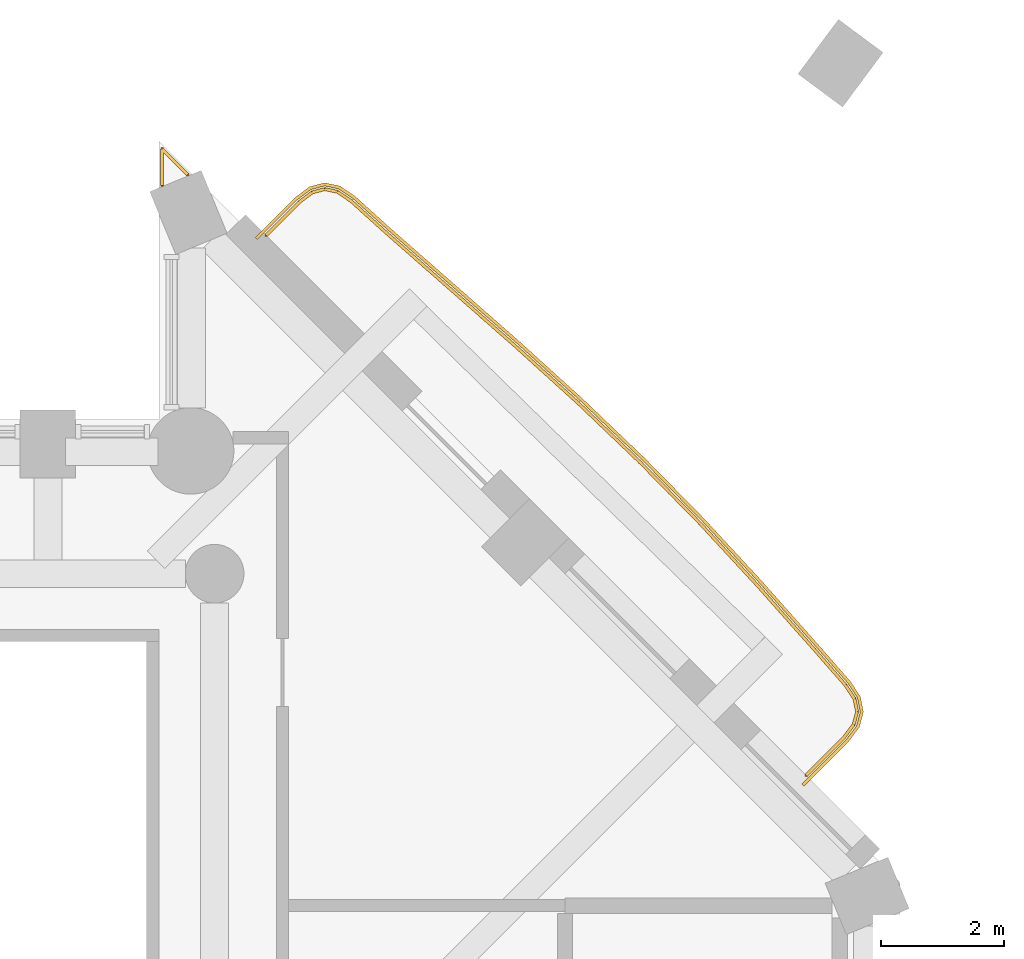
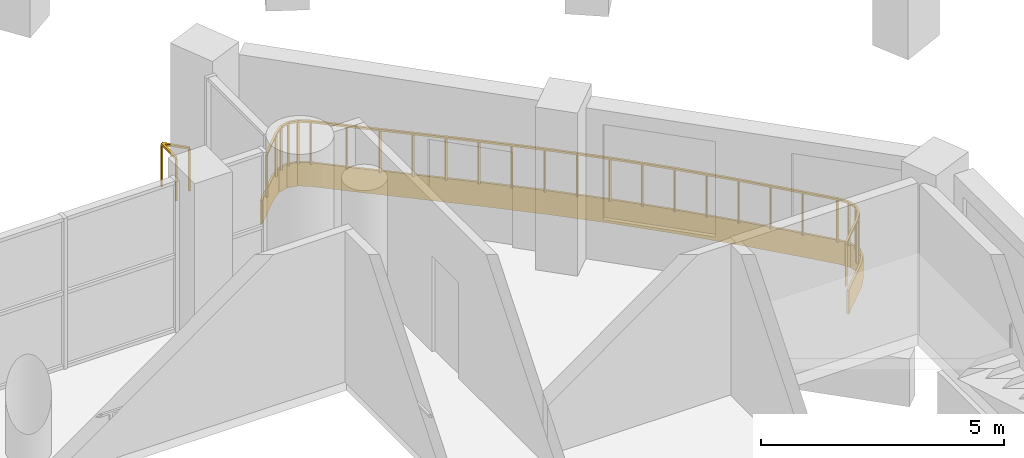
# One storey, part 13 of 13: 2 railings, 1 covering.
"""IFC4 building model written with IfcOpenShell, lengths in metres."""

import ifcopenshell
import ifcopenshell.guid

model = None  # the IFC model being written
_history = None  # IfcOwnerHistory: only IFC2X3 demands one
_inside = {}  # id of a spatial element -> (the spatial element, [elements in it])
_under = {}  # id of a project, library or spatial element -> (it, [spatial elements below it])
_declared = {}  # id of a project -> (the project, [libraries it declares])
_typed = {}  # id of a type object -> (the type object, [elements of that type])
_made_of = {}  # id of a material, layer set ... -> (it, [elements and type objects made of it])


def new_model(schema):
    """Start an empty IFC model of exactly this schema.

    Asked for "IFC4X3", IfcOpenShell would pick the latest addendum, in which some entities
    have other attributes; the version numbers below select the first issue.
    IFC2X3 requires an IfcOwnerHistory on every rooted entity: one is made here for all.
    """
    global model, _history
    if schema == "IFC4X3":
        model = ifcopenshell.file(schema_version=(4, 3, 0, 0))
    else:
        model = ifcopenshell.file(schema=schema)
    _inside.clear()
    _under.clear()
    _declared.clear()
    _typed.clear()
    _made_of.clear()
    _history = None
    if model.schema == "IFC2X3":
        org = make("IfcOrganization", Name="unknown")
        user = make(
            "IfcPersonAndOrganization",
            ThePerson=make("IfcPerson", FamilyName="unknown"),
            TheOrganization=org,
        )
        app = make(
            "IfcApplication",
            ApplicationDeveloper=org,
            Version="unknown",
            ApplicationFullName="unknown",
            ApplicationIdentifier="unknown",
        )
        _history = make(
            "IfcOwnerHistory",
            OwningUser=user,
            OwningApplication=app,
            ChangeAction="ADDED",
            CreationDate=0,
        )
    return model


def make(cls, **values):
    """One entity of the class cls with the attributes given. An attribute that is None is left unset."""
    return model.create_entity(
        cls, **{name: value for name, value in values.items() if value is not None}
    )


def rooted(cls, **values):
    """An entity with a GlobalId (a new one), such as an element, a storey or a relation."""
    return make(cls, GlobalId=ifcopenshell.guid.new(), OwnerHistory=_history, **values)


def si_unit(unit_type, name, prefix=None):
    """IfcSIUnit, for example si_unit("LENGTHUNIT", "METRE", prefix="MILLI")."""
    return make("IfcSIUnit", UnitType=unit_type, Prefix=prefix, Name=name)


def assignment(units):
    """IfcUnitAssignment: the units of a project."""
    return None if units is None else make("IfcUnitAssignment", Units=units)


def point(xyz):
    """IfcCartesianPoint."""
    return None if xyz is None else make("IfcCartesianPoint", Coordinates=xyz)


def direction(xyz):
    """IfcDirection."""
    return None if xyz is None else make("IfcDirection", DirectionRatios=xyz)


def frame(location, z_axis=None, x_axis=None):
    """IfcAxis2Placement3D, a coordinate frame: its origin and axes. An axis left out is left unset."""
    return make(
        "IfcAxis2Placement3D",
        Location=point(location),
        Axis=direction(z_axis),
        RefDirection=direction(x_axis),
    )


def frame_2d(location, x_axis=None):
    """IfcAxis2Placement2D, a coordinate frame in the plane: its origin and x axis."""
    return make(
        "IfcAxis2Placement2D", Location=point(location), RefDirection=direction(x_axis)
    )


def origin():
    """The frame at (0, 0, 0) with its axes left unset."""
    return frame((0.0, 0.0, 0.0))


def origin_2d():
    """The frame at (0, 0) in the plane with its x axis left unset."""
    return frame_2d((0.0, 0.0))


def place(relative_to, where):
    """IfcLocalPlacement: puts the frame where relative to a parent placement (None: the world)."""
    return make(
        "IfcLocalPlacement", PlacementRelTo=relative_to, RelativePlacement=where
    )


def context(
    kind, dimensions, precision=None, world=None, true_north=None, identifier=None
):
    """IfcGeometricRepresentationContext, for example the 3D "Model" context."""
    return make(
        "IfcGeometricRepresentationContext",
        ContextIdentifier=identifier,
        ContextType=kind,
        CoordinateSpaceDimension=dimensions,
        Precision=precision,
        WorldCoordinateSystem=world,
        TrueNorth=true_north,
    )


def subcontext(parent, identifier, kind, view, scale=None):
    """IfcGeometricRepresentationSubContext, for example "Body" below "Model"."""
    return make(
        "IfcGeometricRepresentationSubContext",
        ContextIdentifier=identifier,
        ContextType=kind,
        ParentContext=parent,
        TargetScale=scale,
        TargetView=view,
    )


def project(units=None, contexts=None):
    """IfcProject with its units and contexts."""
    return rooted(
        "IfcProject",
        Name="project",
        RepresentationContexts=contexts,
        UnitsInContext=assignment(units),
    )


def spatial(cls, under=None, at=None, **own):
    """A site, building, storey or space (cls), placed at a placement, below another one or the project."""
    s = rooted(cls, ObjectPlacement=at, **own)
    if under is not None:
        _under.setdefault(under.id(), (under, []))[1].append(s)
    return s


def polyline(points):
    """IfcPolyline through the points."""
    return make("IfcPolyline", Points=[point(p) for p in points])


def profile(cls, at=None, kind="AREA", **sizes):
    """A parametric profile (cls). Its sizes go by their IFC names, for example OverallWidth=200.0."""
    return make(cls, ProfileType=kind, Position=at, **sizes)


def rectangle(**sizes):
    """IfcRectangleProfileDef."""
    return profile("IfcRectangleProfileDef", **sizes)


def outline(outer, holes=None, kind="AREA"):
    """IfcArbitraryClosedProfileDef: a profile drawn as a closed curve; with holes, ...WithVoids."""
    if holes is None:
        return make("IfcArbitraryClosedProfileDef", ProfileType=kind, OuterCurve=outer)
    return make(
        "IfcArbitraryProfileDefWithVoids",
        ProfileType=kind,
        OuterCurve=outer,
        InnerCurves=holes,
    )


def extrude(swept, where, along, depth):
    """IfcExtrudedAreaSolid: the profile swept, set in the frame where, extruded along a direction by depth."""
    return make(
        "IfcExtrudedAreaSolid",
        SweptArea=swept,
        Position=where,
        ExtrudedDirection=direction(along),
        Depth=depth,
    )


def shape(context_of_items, identifier, shape_type, items):
    """IfcShapeRepresentation: the items that make up one representation, for example the "Body"."""
    return make(
        "IfcShapeRepresentation",
        ContextOfItems=context_of_items,
        RepresentationIdentifier=identifier,
        RepresentationType=shape_type,
        Items=items,
    )


def material(Name=None, Category=None):
    """IfcMaterial."""
    return make("IfcMaterial", Name=Name, Category=Category)


def layer(
    of_material, thickness, ventilated=None, Name=None, Category=None, Priority=None
):
    """IfcMaterialLayer: one layer of a wall or slab, of a material (None: an air gap)."""
    return make(
        "IfcMaterialLayer",
        Material=of_material,
        LayerThickness=thickness,
        IsVentilated=ventilated,
        Name=Name,
        Category=Category,
        Priority=Priority,
    )


def layer_set(layers, Name=None):
    """IfcMaterialLayerSet."""
    return make("IfcMaterialLayerSet", MaterialLayers=layers, LayerSetName=Name)


def made_of(thing, what):
    """Note that an element or type object is made of a material, layer set ...; save() writes the relation."""
    if what is not None:
        _made_of.setdefault(what.id(), (what, []))[1].append(thing)
    return thing


def type_object(cls, material=None, **own):
    """A type object (cls), such as IfcWallType, which elements share."""
    return made_of(rooted(cls, **own), material)


def element(
    cls,
    number,
    at=None,
    inside=None,
    cuts=None,
    type_object=None,
    material=None,
    context=None,
    identifier="Body",
    shape_type=None,
    held_by="IfcProductDefinitionShape",
    body=None,
    shapes=None,
    **own,
):
    """One element of the class cls, such as IfcWall. Its Tag is "e" and its number.

    at: its placement. inside: the storey or other place that contains it. cuts: it is an
    opening in that element (IfcRelVoidsElement). A single representation is given by context,
    identifier, shape_type and body (its items); several are given by shapes. held_by: the class
    of the entity that holds the representations. save() writes the other relations.
    """
    e = rooted(cls, Tag="e%d" % number, ObjectPlacement=at, **own)
    if body is not None:
        shapes = [shape(context, identifier, shape_type, body)]
    if shapes is not None:
        e.Representation = make(held_by, Representations=shapes)
    if inside is not None:
        _inside.setdefault(inside.id(), (inside, []))[1].append(e)
    if cuts is not None:
        rooted(
            "IfcRelVoidsElement", RelatingBuildingElement=cuts, RelatedOpeningElement=e
        )
    if type_object is not None:
        _typed.setdefault(type_object.id(), (type_object, []))[1].append(e)
    return made_of(e, material)


def aggregate(whole, parts):
    """IfcRelAggregates: a whole, such as a stair, and the parts it consists of."""
    return rooted("IfcRelAggregates", RelatingObject=whole, RelatedObjects=parts)


def save(model, path):
    """Write the relations noted so far, then the file.

    IfcRelAggregates (storeys below a building ...), IfcRelContainedInSpatialStructure (elements
    in a storey), IfcRelDefinesByType, IfcRelAssociatesMaterial and IfcRelDeclares: one each for
    every whole, place, type object, material and project.
    """
    for whole, parts in _under.values():
        aggregate(whole, parts)
    for where, things in _inside.values():
        rooted(
            "IfcRelContainedInSpatialStructure",
            RelatedElements=things,
            RelatingStructure=where,
        )
    for kind, things in _typed.values():
        rooted("IfcRelDefinesByType", RelatedObjects=things, RelatingType=kind)
    for what, things in _made_of.values():
        rooted("IfcRelAssociatesMaterial", RelatedObjects=things, RelatingMaterial=what)
    for by, libraries in _declared.values():
        rooted("IfcRelDeclares", RelatingContext=by, RelatedDefinitions=libraries)
    model.write(path)


model = new_model("IFC4")

# Units and contexts
model_context = context("Model", 3, precision=1e-05, world=origin(), true_north=direction((0.0, 1.0)))
body_context = subcontext(model_context, "Body", "Model", "MODEL_VIEW")
ifc_project = project(units=[si_unit("LENGTHUNIT", "METRE"), si_unit("AREAUNIT", "SQUARE_METRE"), si_unit("VOLUMEUNIT", "CUBIC_METRE"), si_unit("PLANEANGLEUNIT", "RADIAN"), si_unit("MASSUNIT", "GRAM", prefix="KILO")], contexts=[model_context])

# Site, building, storey
site_placement = place(None, origin())
site = spatial("IfcSite", under=ifc_project, at=site_placement, CompositionType="ELEMENT")
building_placement = place(site_placement, origin())
building = spatial("IfcBuilding", under=site, at=building_placement, Name="Cypress Arch Tower", CompositionType="ELEMENT")
storey_placement = place(building_placement, frame((0.0, 0.0, 189.199951171875)))
storey = spatial("IfcBuildingStorey", under=building, at=storey_placement, Name="L41", CompositionType="ELEMENT", Elevation=189.199951171875)

# Covering
ifc_material_1 = material(Name="White powder-coated aluminium fascia", Category="aluminium")
ifc_layer = layer(ifc_material_1, 0.050048828125)
ifc_layer_set = layer_set([ifc_layer], Name="Balcony fascia BF50")
covering_type = type_object("IfcCoveringType", Name="Balcony fascia BF50", PredefinedType="CLADDING", material=ifc_layer_set)
covering_placement = place(storey_placement, frame((0.0, 0.0, -0.599853515625)))
element("IfcCovering", 1, at=covering_placement, inside=storey, type_object=covering_type, Name="Balcony fascia L41-B05", PredefinedType="CLADDING", context=body_context, shape_type="SweptSolid", body=[
    extrude(outline(polyline([(10.302978515625, 16.091552734375), (10.53564453125, 16.2666015625), (10.781494140625, 16.33154296875), (11.030029296875, 16.279052734375), (11.271484375, 16.1162109375), (11.840087890625, 15.6025390625), (12.883544921875, 14.68701171875), (13.927001953125, 13.770263671875), (14.955810546875, 12.838134765625), (15.958740234375, 11.87939453125), (16.930419921875, 10.889404296875), (17.872802734375, 9.870361328125), (18.79443359375, 8.83154296875), (19.2998046875, 8.25390625), (19.459228515625, 8.00927734375), (19.509033203125, 7.758544921875), (19.442626953125, 7.51171875), (19.26708984375, 7.2783203125), (18.545166015625, 6.556396484375), (18.509765625, 6.591796875), (19.229248046875, 7.311279296875), (19.39697265625, 7.533935546875), (19.457763671875, 7.76025390625), (19.412109375, 7.990234375), (19.259765625, 8.2236328125), (18.7568359375, 8.798583984375), (17.835693359375, 9.8369140625), (16.894287109375, 10.85498046875), (15.923583984375, 11.843994140625), (14.921875, 12.801513671875), (13.893798828125, 13.733154296875), (12.8505859375, 14.6494140625), (11.806884765625, 15.565185546875), (11.240478515625, 16.07666015625), (11.01025390625, 16.232177734375), (10.78271484375, 16.2802734375), (10.557861328125, 16.220703125), (10.335693359375, 16.0537109375), (9.691650390625, 15.40966796875), (9.65625, 15.445068359375), (10.302978515625, 16.091552734375)])), origin(), (0.0, 0.0, 1.0), 0.599853515625),
])

# Railings
ifc_material_2 = material(Name="Powder-coated steel posts and rods, 100 mm clear between rods", Category="steel")
railing_type_1 = type_object("IfcRailingType", Name="Balcony guard GR1100", PredefinedType="GUARDRAIL", material=ifc_material_2)
railing_1_placement = place(storey_placement, frame((9.83251953125, 15.479736328125, 0.0)))
element("IfcRailing", 2, at=railing_1_placement, inside=storey, type_object=railing_type_1, Name="Balcony guard L41-B05", PredefinedType="GUARDRAIL", context=body_context, shape_type="SweptSolid", body=[
    extrude(rectangle(XDim=0.050048828125, YDim=0.050048828125, at=origin_2d()), frame((0.0, 0.0, 1.0751953125), z_axis=(0.707106781187, 0.707106781187, 0.0), x_axis=(-0.707106781187, 0.707106781187, 0.0)), (0.0, 0.0, 1.0), 0.75830078125),
    extrude(rectangle(XDim=0.050048828125, YDim=0.050048828125, at=origin_2d()), frame((0.5361328125, 0.5361328125, 1.0751953125), z_axis=(0.79889162918, 0.601474991023, 0.0), x_axis=(-0.601474991023, 0.79889162918, 0.0)), (0.0, 0.0, 1.0), 0.2646484375),
    extrude(rectangle(XDim=0.050048828125, YDim=0.050048828125, at=origin_2d()), frame((0.74755859375, 0.6953125, 1.0751953125), z_axis=(0.966713650675, 0.255860738682, 0.0), x_axis=(-0.255860738682, 0.966713650675, 0.0)), (0.0, 0.0, 1.0), 0.2109375),
    extrude(rectangle(XDim=0.050048828125, YDim=0.050048828125, at=origin_2d()), frame((0.951416015625, 0.749267578125, 1.0751953125), z_axis=(0.978340696358, -0.207001163887, 0.0), x_axis=(0.207001163887, 0.978340696358, 0.0)), (0.0, 0.0, 1.0), 0.211181640625),
    extrude(rectangle(XDim=0.050048828125, YDim=0.050048828125, at=origin_2d()), frame((1.157958984375, 0.70556640625, 1.0751953125), z_axis=(0.828912874981, -0.559377730778, 0.0), x_axis=(0.559377730778, 0.828912874981, 0.0)), (0.0, 0.0, 1.0), 0.264404296875),
    extrude(rectangle(XDim=0.050048828125, YDim=0.050048828125, at=origin_2d()), frame((1.377197265625, 0.5576171875, 1.0751953125), z_axis=(0.742015014597, -0.670383262106, 0.0), x_axis=(0.670383262106, 0.742015014597, 0.0)), (0.0, 0.0, 1.0), 0.760009765625),
    extrude(rectangle(XDim=0.050048828125, YDim=0.050048828125, at=origin_2d()), frame((1.941162109375, 0.048095703125, 1.0751953125), z_axis=(0.751661258807, -0.659549355249, 0.0), x_axis=(0.659549355249, 0.751661258807, 0.0)), (0.0, 0.0, 1.0), 1.388916015625),
    extrude(rectangle(XDim=0.050048828125, YDim=0.050048828125, at=origin_2d()), frame((2.985107421875, -0.867919921875, 1.0751953125), z_axis=(0.751278540226, -0.659985268772, 0.0), x_axis=(0.659985268772, 0.751278540226, 0.0)), (0.0, 0.0, 1.0), 1.387939453125),
    extrude(rectangle(XDim=0.050048828125, YDim=0.050048828125, at=origin_2d()), frame((4.02783203125, -1.783935546875, 1.0751953125), z_axis=(0.741030762522, -0.671471078302, 0.0), x_axis=(0.671471078302, 0.741030762522, 0.0)), (0.0, 0.0, 1.0), 1.386474609375),
    extrude(rectangle(XDim=0.050048828125, YDim=0.050048828125, at=origin_2d()), frame((5.05517578125, -2.71484375, 1.0751953125), z_axis=(0.722886935614, -0.690966336603, 0.0), x_axis=(0.690966336603, 0.722886935614, 0.0)), (0.0, 0.0, 1.0), 1.38427734375),
    extrude(rectangle(XDim=0.050048828125, YDim=0.050048828125, at=origin_2d()), frame((6.055908203125, -3.67138671875, 1.0751953125), z_axis=(0.700550891688, -0.713602444051, 0.0), x_axis=(0.713602444051, 0.700550891688, 0.0)), (0.0, 0.0, 1.0), 1.38427734375),
    extrude(rectangle(XDim=0.050048828125, YDim=0.050048828125, at=origin_2d()), frame((7.025634765625, -4.6591796875, 1.0751953125), z_axis=(0.678989747895, -0.734147752331, 0.0), x_axis=(0.734147752331, 0.678989747895, 0.0)), (0.0, 0.0, 1.0), 1.385498046875),
    extrude(rectangle(XDim=0.050048828125, YDim=0.050048828125, at=origin_2d()), frame((7.96630859375, -5.67626953125, 1.0751953125), z_axis=(0.663522479605, -0.748156346667, 0.0), x_axis=(0.748156346667, 0.663522479605, 0.0)), (0.0, 0.0, 1.0), 1.387451171875),
    extrude(rectangle(XDim=0.050048828125, YDim=0.050048828125, at=origin_2d()), frame((8.886962890625, -6.71435546875, 1.0751953125), z_axis=(0.658299875011, -0.752755786799, 0.0), x_axis=(0.752755786799, 0.658299875011, 0.0)), (0.0, 0.0, 1.0), 0.760009765625),
    extrude(rectangle(XDim=0.050048828125, YDim=0.050048828125, at=origin_2d()), frame((9.38720703125, -7.286376953125, 1.0751953125), z_axis=(0.546828345228, -0.837244743701, 0.0), x_axis=(0.837244743701, 0.546828345228, 0.0)), (0.0, 0.0, 1.0), 0.265625),
    extrude(rectangle(XDim=0.050048828125, YDim=0.050048828125, at=origin_2d()), frame((9.532470703125, -7.5087890625, 1.0751953125), z_axis=(0.194793826827, -0.980844210377, 0.0), x_axis=(0.980844210377, 0.194793826827, 0.0)), (0.0, 0.0, 1.0), 0.213134765625),
    extrude(rectangle(XDim=0.050048828125, YDim=0.050048828125, at=origin_2d()), frame((9.573974609375, -7.7177734375, 1.0751953125), z_axis=(-0.260302444587, -0.965527129262, 0.0), x_axis=(0.965527129262, -0.260302444587, 0.0)), (0.0, 0.0, 1.0), 0.212890625),
    extrude(rectangle(XDim=0.050048828125, YDim=0.050048828125, at=origin_2d()), frame((9.5185546875, -7.92333984375, 1.0751953125), z_axis=(-0.601323192643, -0.799005893589, 0.0), x_axis=(0.799005893589, -0.601323192643, 0.0)), (0.0, 0.0, 1.0), 0.265625),
    extrude(rectangle(XDim=0.050048828125, YDim=0.050048828125, at=origin_2d()), frame((9.35888671875, -8.135498046875, 1.0751953125), z_axis=(-0.706965656197, -0.707247878016, 0.0), x_axis=(0.707247878016, -0.706965656197, 0.0)), (0.0, 0.0, 1.0), 0.864990234375),
    extrude(rectangle(XDim=0.0400390625, YDim=0.0400390625, at=origin_2d()), origin(), (0.0, 0.0, 1.0), 1.050048828125),
    extrude(rectangle(XDim=0.0400390625, YDim=0.0400390625, at=origin_2d()), frame((0.5361328125, 0.5361328125, 0.0)), (0.0, 0.0, 1.0), 1.050048828125),
    extrude(rectangle(XDim=0.0400390625, YDim=0.0400390625, at=origin_2d()), frame((0.74755859375, 0.6953125, 0.0)), (0.0, 0.0, 1.0), 1.050048828125),
    extrude(rectangle(XDim=0.0400390625, YDim=0.0400390625, at=origin_2d()), frame((0.951416015625, 0.749267578125, 0.0)), (0.0, 0.0, 1.0), 1.050048828125),
    extrude(rectangle(XDim=0.0400390625, YDim=0.0400390625, at=origin_2d()), frame((1.157958984375, 0.70556640625, 0.0)), (0.0, 0.0, 1.0), 1.050048828125),
    extrude(rectangle(XDim=0.0400390625, YDim=0.0400390625, at=origin_2d()), frame((1.377197265625, 0.5576171875, 0.0)), (0.0, 0.0, 1.0), 1.050048828125),
    extrude(rectangle(XDim=0.0400390625, YDim=0.0400390625, at=origin_2d()), frame((1.941162109375, 0.048095703125, 0.0)), (0.0, 0.0, 1.0), 1.050048828125),
    extrude(rectangle(XDim=0.0400390625, YDim=0.0400390625, at=origin_2d()), frame((2.463134765625, -0.409912109375, 0.0)), (0.0, 0.0, 1.0), 1.050048828125),
    extrude(rectangle(XDim=0.0400390625, YDim=0.0400390625, at=origin_2d()), frame((2.985107421875, -0.867919921875, 0.0)), (0.0, 0.0, 1.0), 1.050048828125),
    extrude(rectangle(XDim=0.0400390625, YDim=0.0400390625, at=origin_2d()), frame((3.50634765625, -1.325927734375, 0.0)), (0.0, 0.0, 1.0), 1.050048828125),
    extrude(rectangle(XDim=0.0400390625, YDim=0.0400390625, at=origin_2d()), frame((4.02783203125, -1.783935546875, 0.0)), (0.0, 0.0, 1.0), 1.050048828125),
    extrude(rectangle(XDim=0.0400390625, YDim=0.0400390625, at=origin_2d()), frame((4.54150390625, -2.24951171875, 0.0)), (0.0, 0.0, 1.0), 1.050048828125),
    extrude(rectangle(XDim=0.0400390625, YDim=0.0400390625, at=origin_2d()), frame((5.05517578125, -2.71484375, 0.0)), (0.0, 0.0, 1.0), 1.050048828125),
    extrude(rectangle(XDim=0.0400390625, YDim=0.0400390625, at=origin_2d()), frame((5.5556640625, -3.193115234375, 0.0)), (0.0, 0.0, 1.0), 1.050048828125),
    extrude(rectangle(XDim=0.0400390625, YDim=0.0400390625, at=origin_2d()), frame((6.055908203125, -3.67138671875, 0.0)), (0.0, 0.0, 1.0), 1.050048828125),
    extrude(rectangle(XDim=0.0400390625, YDim=0.0400390625, at=origin_2d()), frame((6.540771484375, -4.165283203125, 0.0)), (0.0, 0.0, 1.0), 1.050048828125),
    extrude(rectangle(XDim=0.0400390625, YDim=0.0400390625, at=origin_2d()), frame((7.025634765625, -4.6591796875, 0.0)), (0.0, 0.0, 1.0), 1.050048828125),
    extrude(rectangle(XDim=0.0400390625, YDim=0.0400390625, at=origin_2d()), frame((7.49609375, -5.167724609375, 0.0)), (0.0, 0.0, 1.0), 1.050048828125),
    extrude(rectangle(XDim=0.0400390625, YDim=0.0400390625, at=origin_2d()), frame((7.96630859375, -5.67626953125, 0.0)), (0.0, 0.0, 1.0), 1.050048828125),
    extrude(rectangle(XDim=0.0400390625, YDim=0.0400390625, at=origin_2d()), frame((8.4267578125, -6.1953125, 0.0)), (0.0, 0.0, 1.0), 1.050048828125),
    extrude(rectangle(XDim=0.0400390625, YDim=0.0400390625, at=origin_2d()), frame((8.886962890625, -6.71435546875, 0.0)), (0.0, 0.0, 1.0), 1.050048828125),
    extrude(rectangle(XDim=0.0400390625, YDim=0.0400390625, at=origin_2d()), frame((9.38720703125, -7.286376953125, 0.0)), (0.0, 0.0, 1.0), 1.050048828125),
    extrude(rectangle(XDim=0.0400390625, YDim=0.0400390625, at=origin_2d()), frame((9.532470703125, -7.5087890625, 0.0)), (0.0, 0.0, 1.0), 1.050048828125),
    extrude(rectangle(XDim=0.0400390625, YDim=0.0400390625, at=origin_2d()), frame((9.573974609375, -7.7177734375, 0.0)), (0.0, 0.0, 1.0), 1.050048828125),
    extrude(rectangle(XDim=0.0400390625, YDim=0.0400390625, at=origin_2d()), frame((9.5185546875, -7.92333984375, 0.0)), (0.0, 0.0, 1.0), 1.050048828125),
    extrude(rectangle(XDim=0.0400390625, YDim=0.0400390625, at=origin_2d()), frame((9.35888671875, -8.135498046875, 0.0)), (0.0, 0.0, 1.0), 1.050048828125),
    extrude(rectangle(XDim=0.0400390625, YDim=0.0400390625, at=origin_2d()), frame((8.747314453125, -8.747314453125, 0.0)), (0.0, 0.0, 1.0), 1.050048828125),
])
ifc_material_3 = material(Name="Powder-coated steel posts and rods, 100 mm clear between rods", Category="steel")
railing_type_2 = type_object("IfcRailingType", Name="Corner guard GR1100C", PredefinedType="GUARDRAIL", material=ifc_material_3)
railing_2_placement = place(storey_placement, frame((8.14990234375, 16.290771484375, 0.0)))
element("IfcRailing", 3, at=railing_2_placement, inside=storey, type_object=railing_type_2, Name="Corner guard L41 7", PredefinedType="GUARDRAIL", context=body_context, shape_type="SweptSolid", body=[
    extrude(rectangle(XDim=0.050048828125, YDim=0.050048828125, at=origin_2d()), frame((0.0, 0.0, 1.0751953125), z_axis=(0.0, 1.0, 0.0), x_axis=(-1.0, 0.0, 0.0)), (0.0, 0.0, 1.0), 0.588623046875),
    extrude(rectangle(XDim=0.050048828125, YDim=0.050048828125, at=origin_2d()), frame((0.0, 0.588623046875, 1.0751953125), z_axis=(0.707106781187, -0.707106781187, 0.0), x_axis=(0.707106781187, 0.707106781187, 0.0)), (0.0, 0.0, 1.0), 0.588623046875),
    extrude(rectangle(XDim=0.0400390625, YDim=0.0400390625, at=origin_2d()), origin(), (0.0, 0.0, 1.0), 1.050048828125),
    extrude(rectangle(XDim=0.0400390625, YDim=0.0400390625, at=origin_2d()), frame((0.0, 0.588623046875, 0.0)), (0.0, 0.0, 1.0), 1.050048828125),
    extrude(rectangle(XDim=0.0400390625, YDim=0.0400390625, at=origin_2d()), frame((0.416259765625, 0.17236328125, 0.0)), (0.0, 0.0, 1.0), 1.050048828125),
])

save(model, "model.ifc")
